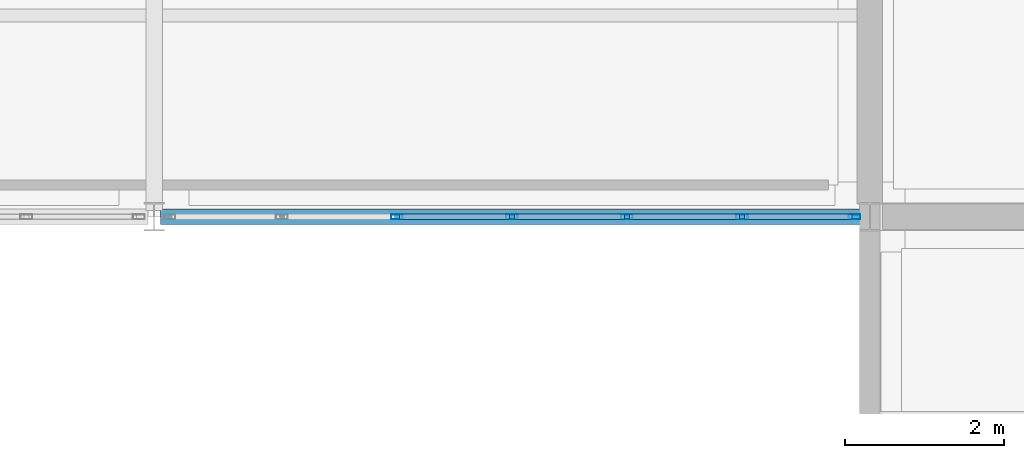
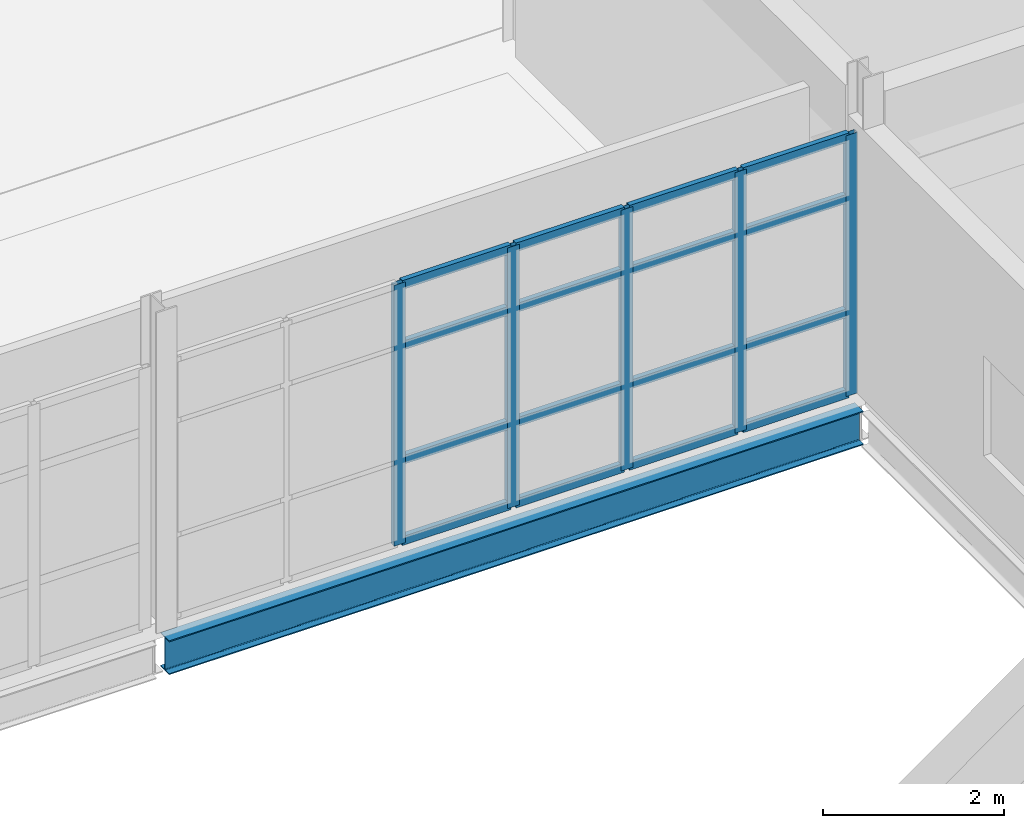
# One storey, part 36 of 174: 21 members, 1 beam, 1 element without a shape of its own.
"""IFC4 building model written with IfcOpenShell, lengths in metres."""

import ifcopenshell
import ifcopenshell.guid

model = None  # the IFC model being written
_history = None  # IfcOwnerHistory: only IFC2X3 demands one
_inside = {}  # id of a spatial element -> (the spatial element, [elements in it])
_under = {}  # id of a project, library or spatial element -> (it, [spatial elements below it])
_declared = {}  # id of a project -> (the project, [libraries it declares])
_typed = {}  # id of a type object -> (the type object, [elements of that type])
_made_of = {}  # id of a material, layer set ... -> (it, [elements and type objects made of it])


def new_model(schema):
    """Start an empty IFC model of exactly this schema.

    Asked for "IFC4X3", IfcOpenShell would pick the latest addendum, in which some entities
    have other attributes; the version numbers below select the first issue.
    IFC2X3 requires an IfcOwnerHistory on every rooted entity: one is made here for all.
    """
    global model, _history
    if schema == "IFC4X3":
        model = ifcopenshell.file(schema_version=(4, 3, 0, 0))
    else:
        model = ifcopenshell.file(schema=schema)
    _inside.clear()
    _under.clear()
    _declared.clear()
    _typed.clear()
    _made_of.clear()
    _history = None
    if model.schema == "IFC2X3":
        org = make("IfcOrganization", Name="unknown")
        user = make(
            "IfcPersonAndOrganization",
            ThePerson=make("IfcPerson", FamilyName="unknown"),
            TheOrganization=org,
        )
        app = make(
            "IfcApplication",
            ApplicationDeveloper=org,
            Version="unknown",
            ApplicationFullName="unknown",
            ApplicationIdentifier="unknown",
        )
        _history = make(
            "IfcOwnerHistory",
            OwningUser=user,
            OwningApplication=app,
            ChangeAction="ADDED",
            CreationDate=0,
        )
    return model


def make(cls, **values):
    """One entity of the class cls with the attributes given. An attribute that is None is left unset."""
    return model.create_entity(
        cls, **{name: value for name, value in values.items() if value is not None}
    )


def rooted(cls, **values):
    """An entity with a GlobalId (a new one), such as an element, a storey or a relation."""
    return make(cls, GlobalId=ifcopenshell.guid.new(), OwnerHistory=_history, **values)


def si_unit(unit_type, name, prefix=None):
    """IfcSIUnit, for example si_unit("LENGTHUNIT", "METRE", prefix="MILLI")."""
    return make("IfcSIUnit", UnitType=unit_type, Prefix=prefix, Name=name)


def assignment(units):
    """IfcUnitAssignment: the units of a project."""
    return None if units is None else make("IfcUnitAssignment", Units=units)


def point(xyz):
    """IfcCartesianPoint."""
    return None if xyz is None else make("IfcCartesianPoint", Coordinates=xyz)


def direction(xyz):
    """IfcDirection."""
    return None if xyz is None else make("IfcDirection", DirectionRatios=xyz)


def frame(location, z_axis=None, x_axis=None):
    """IfcAxis2Placement3D, a coordinate frame: its origin and axes. An axis left out is left unset."""
    return make(
        "IfcAxis2Placement3D",
        Location=point(location),
        Axis=direction(z_axis),
        RefDirection=direction(x_axis),
    )


def frame_2d(location, x_axis=None):
    """IfcAxis2Placement2D, a coordinate frame in the plane: its origin and x axis."""
    return make(
        "IfcAxis2Placement2D", Location=point(location), RefDirection=direction(x_axis)
    )


def origin():
    """The frame at (0, 0, 0) with its axes left unset."""
    return frame((0.0, 0.0, 0.0))


def origin_2d():
    """The frame at (0, 0) in the plane with its x axis left unset."""
    return frame_2d((0.0, 0.0))


def place(relative_to, where):
    """IfcLocalPlacement: puts the frame where relative to a parent placement (None: the world)."""
    return make(
        "IfcLocalPlacement", PlacementRelTo=relative_to, RelativePlacement=where
    )


def context(
    kind, dimensions, precision=None, world=None, true_north=None, identifier=None
):
    """IfcGeometricRepresentationContext, for example the 3D "Model" context."""
    return make(
        "IfcGeometricRepresentationContext",
        ContextIdentifier=identifier,
        ContextType=kind,
        CoordinateSpaceDimension=dimensions,
        Precision=precision,
        WorldCoordinateSystem=world,
        TrueNorth=true_north,
    )


def subcontext(parent, identifier, kind, view, scale=None):
    """IfcGeometricRepresentationSubContext, for example "Body" below "Model"."""
    return make(
        "IfcGeometricRepresentationSubContext",
        ContextIdentifier=identifier,
        ContextType=kind,
        ParentContext=parent,
        TargetScale=scale,
        TargetView=view,
    )


def project(units=None, contexts=None):
    """IfcProject with its units and contexts."""
    return rooted(
        "IfcProject",
        Name="project",
        RepresentationContexts=contexts,
        UnitsInContext=assignment(units),
    )


def spatial(cls, under=None, at=None, **own):
    """A site, building, storey or space (cls), placed at a placement, below another one or the project."""
    s = rooted(cls, ObjectPlacement=at, **own)
    if under is not None:
        _under.setdefault(under.id(), (under, []))[1].append(s)
    return s


def profile(cls, at=None, kind="AREA", **sizes):
    """A parametric profile (cls). Its sizes go by their IFC names, for example OverallWidth=200.0."""
    return make(cls, ProfileType=kind, Position=at, **sizes)


def hollow_rectangle(**sizes):
    """IfcRectangleHollowProfileDef."""
    return profile("IfcRectangleHollowProfileDef", **sizes)


def i_section(**sizes):
    """IfcIShapeProfileDef."""
    return profile("IfcIShapeProfileDef", **sizes)


def extrude(swept, where, along, depth):
    """IfcExtrudedAreaSolid: the profile swept, set in the frame where, extruded along a direction by depth."""
    return make(
        "IfcExtrudedAreaSolid",
        SweptArea=swept,
        Position=where,
        ExtrudedDirection=direction(along),
        Depth=depth,
    )


def shape(context_of_items, identifier, shape_type, items):
    """IfcShapeRepresentation: the items that make up one representation, for example the "Body"."""
    return make(
        "IfcShapeRepresentation",
        ContextOfItems=context_of_items,
        RepresentationIdentifier=identifier,
        RepresentationType=shape_type,
        Items=items,
    )


def material(Name=None, Category=None):
    """IfcMaterial."""
    return make("IfcMaterial", Name=Name, Category=Category)


def material_profile(
    of_material, cross_section, Name=None, Category=None, Priority=None
):
    """IfcMaterialProfile: a cross section and its material."""
    return make(
        "IfcMaterialProfile",
        Name=Name,
        Material=of_material,
        Profile=cross_section,
        Priority=Priority,
        Category=Category,
    )


def profile_set(profiles, Name=None, composite=None):
    """IfcMaterialProfileSet."""
    return make(
        "IfcMaterialProfileSet",
        Name=Name,
        MaterialProfiles=profiles,
        CompositeProfile=composite,
    )


def made_of(thing, what):
    """Note that an element or type object is made of a material, layer set ...; save() writes the relation."""
    if what is not None:
        _made_of.setdefault(what.id(), (what, []))[1].append(thing)
    return thing


def type_object(cls, material=None, **own):
    """A type object (cls), such as IfcWallType, which elements share."""
    return made_of(rooted(cls, **own), material)


def element(
    cls,
    number,
    at=None,
    inside=None,
    cuts=None,
    type_object=None,
    material=None,
    context=None,
    identifier="Body",
    shape_type=None,
    held_by="IfcProductDefinitionShape",
    body=None,
    shapes=None,
    **own,
):
    """One element of the class cls, such as IfcWall. Its Tag is "e" and its number.

    at: its placement. inside: the storey or other place that contains it. cuts: it is an
    opening in that element (IfcRelVoidsElement). A single representation is given by context,
    identifier, shape_type and body (its items); several are given by shapes. held_by: the class
    of the entity that holds the representations. save() writes the other relations.
    """
    e = rooted(cls, Tag="e%d" % number, ObjectPlacement=at, **own)
    if body is not None:
        shapes = [shape(context, identifier, shape_type, body)]
    if shapes is not None:
        e.Representation = make(held_by, Representations=shapes)
    if inside is not None:
        _inside.setdefault(inside.id(), (inside, []))[1].append(e)
    if cuts is not None:
        rooted(
            "IfcRelVoidsElement", RelatingBuildingElement=cuts, RelatedOpeningElement=e
        )
    if type_object is not None:
        _typed.setdefault(type_object.id(), (type_object, []))[1].append(e)
    return made_of(e, material)


def aggregate(whole, parts):
    """IfcRelAggregates: a whole, such as a stair, and the parts it consists of."""
    return rooted("IfcRelAggregates", RelatingObject=whole, RelatedObjects=parts)


def save(model, path):
    """Write the relations noted so far, then the file.

    IfcRelAggregates (storeys below a building ...), IfcRelContainedInSpatialStructure (elements
    in a storey), IfcRelDefinesByType, IfcRelAssociatesMaterial and IfcRelDeclares: one each for
    every whole, place, type object, material and project.
    """
    for whole, parts in _under.values():
        aggregate(whole, parts)
    for where, things in _inside.values():
        rooted(
            "IfcRelContainedInSpatialStructure",
            RelatedElements=things,
            RelatingStructure=where,
        )
    for kind, things in _typed.values():
        rooted("IfcRelDefinesByType", RelatedObjects=things, RelatingType=kind)
    for what, things in _made_of.values():
        rooted("IfcRelAssociatesMaterial", RelatedObjects=things, RelatingMaterial=what)
    for by, libraries in _declared.values():
        rooted("IfcRelDeclares", RelatingContext=by, RelatedDefinitions=libraries)
    model.write(path)


model = new_model("IFC4")

# Units and contexts
model_context = context("Model", 3, precision=1e-05, world=origin(), true_north=direction((0.0, 1.0)))
body_context = subcontext(model_context, "Body", "Model", "MODEL_VIEW")
ifc_project = project(units=[si_unit("LENGTHUNIT", "METRE"), si_unit("AREAUNIT", "SQUARE_METRE"), si_unit("VOLUMEUNIT", "CUBIC_METRE"), si_unit("PLANEANGLEUNIT", "RADIAN"), si_unit("MASSUNIT", "GRAM", prefix="KILO")], contexts=[model_context])

# Site, building, storey
site_placement = place(None, origin())
site = spatial("IfcSite", under=ifc_project, at=site_placement, CompositionType="ELEMENT")
building_placement = place(site_placement, origin())
building = spatial("IfcBuilding", under=site, at=building_placement, Name="Caisbarro Railhouse Central Library", CompositionType="ELEMENT")
storey_placement = place(building_placement, frame((0.0, 0.0, 5.0400390625)))
storey = spatial("IfcBuildingStorey", under=building, at=storey_placement, Name="L01", CompositionType="ELEMENT", Elevation=5.0400390625)

# Beam
ifc_material_1 = material(Name="Steel ASTM A572 Grade 50", Category="steel")
ifc_material_profile_1 = material_profile(ifc_material_1, i_section(OverallWidth=0.18994140625, OverallDepth=0.45703125, WebThickness=0.009033203125, FlangeThickness=0.014404296875, FilletRadius=0.01806640625, at=origin_2d()), Name="W460X74.0")
ifc_profile_set_1 = profile_set([ifc_material_profile_1], Name="Steel ASTM A572 Grade 50")
beam_type = type_object("IfcBeamType", Name="BM-SP01", PredefinedType="SPANDREL", material=ifc_profile_set_1)
beam_placement = place(storey_placement, frame((45.080078125, 30.39990234375, -0.448486328125), z_axis=(1.0, 0.0, 0.0), x_axis=(0.0, 1.0, 0.0)))
element("IfcBeam", 1, at=beam_placement, inside=storey, type_object=beam_type, Name="SP01 beam L01 #795", PredefinedType="SPANDREL", context=body_context, shape_type="SweptSolid", body=[
    extrude(i_section(OverallWidth=0.18994140625, OverallDepth=0.45703125, WebThickness=0.009033203125, FlangeThickness=0.014404296875, FilletRadius=0.01806640625, at=origin_2d()), origin(), (0.0, 0.0, 1.0), 8.83984375),
])

# Curtain wall, members
ifc_material_2 = material(Name="Anodised architectural aluminium", Category="aluminium")
curtain_wall_type = type_object("IfcCurtainWallType", Name="CW-CW02", PredefinedType="NOTDEFINED", material=ifc_material_2)
curtain_wall_placement = place(storey_placement, origin())
curtain_wall = element("IfcCurtainWall", 2, at=curtain_wall_placement, inside=storey, type_object=curtain_wall_type, Name="CW02 curtain wall L01 #37", PredefinedType="NOTDEFINED")
ifc_material_profile_2 = material_profile(ifc_material_2, hollow_rectangle(XDim=0.06494140625, YDim=0.14990234375, WallThickness=0.00390625, at=origin_2d()), Name="ALU-MUL-65X150")
ifc_profile_set_2 = profile_set([ifc_material_profile_2], Name="Anodised architectural aluminium")
member_type_1 = type_object("IfcMemberType", Name="CWM-M02", PredefinedType="MULLION", material=ifc_profile_set_2)
member_1_placement = place(storey_placement, frame((48.05322265625, 30.39990234375, 0.0), z_axis=(0.0, 0.0, 1.0), x_axis=(0.0, 1.0, 0.0)))
member_1 = element("IfcMember", 3, at=member_1_placement, type_object=member_type_1, Name="CW02 mullion 3", PredefinedType="MULLION", context=body_context, shape_type="SweptSolid", body=[
    extrude(hollow_rectangle(XDim=0.06494140625, YDim=0.14990234375, WallThickness=0.00390625, at=origin_2d()), origin(), (0.0, 0.0, 1.0), 3.510009765625),
])
member_2_placement = place(storey_placement, frame((49.5, 30.39990234375, 0.0), z_axis=(0.0, 0.0, 1.0), x_axis=(0.0, 1.0, 0.0)))
member_2 = element("IfcMember", 4, at=member_2_placement, type_object=member_type_1, Name="CW02 mullion 4", PredefinedType="MULLION", context=body_context, shape_type="SweptSolid", body=[
    extrude(hollow_rectangle(XDim=0.06494140625, YDim=0.14990234375, WallThickness=0.00390625, at=origin_2d()), origin(), (0.0, 0.0, 1.0), 3.510009765625),
])
member_3_placement = place(storey_placement, frame((50.94677734375, 30.39990234375, 0.0), z_axis=(0.0, 0.0, 1.0), x_axis=(0.0, 1.0, 0.0)))
member_3 = element("IfcMember", 5, at=member_3_placement, type_object=member_type_1, Name="CW02 mullion 5", PredefinedType="MULLION", context=body_context, shape_type="SweptSolid", body=[
    extrude(hollow_rectangle(XDim=0.06494140625, YDim=0.14990234375, WallThickness=0.00390625, at=origin_2d()), origin(), (0.0, 0.0, 1.0), 3.510009765625),
])
member_4_placement = place(storey_placement, frame((52.393310546875, 30.39990234375, 0.0), z_axis=(0.0, 0.0, 1.0), x_axis=(0.0, 1.0, 0.0)))
member_4 = element("IfcMember", 6, at=member_4_placement, type_object=member_type_1, Name="CW02 mullion 6", PredefinedType="MULLION", context=body_context, shape_type="SweptSolid", body=[
    extrude(hollow_rectangle(XDim=0.06494140625, YDim=0.14990234375, WallThickness=0.00390625, at=origin_2d()), origin(), (0.0, 0.0, 1.0), 3.510009765625),
])
member_5_placement = place(storey_placement, frame((53.8076171875, 30.39990234375, 0.0), z_axis=(0.0, 0.0, 1.0), x_axis=(0.0, 1.0, 0.0)))
member_5 = element("IfcMember", 7, at=member_5_placement, type_object=member_type_1, Name="CW02 mullion 7", PredefinedType="MULLION", context=body_context, shape_type="SweptSolid", body=[
    extrude(hollow_rectangle(XDim=0.06494140625, YDim=0.14990234375, WallThickness=0.00390625, at=origin_2d()), origin(), (0.0, 0.0, 1.0), 3.510009765625),
])
ifc_material_profile_3 = material_profile(ifc_material_2, hollow_rectangle(XDim=0.06494140625, YDim=0.1201171875, WallThickness=0.00341796875, at=origin_2d()), Name="ALU-TRN-65X120")
ifc_profile_set_3 = profile_set([ifc_material_profile_3], Name="Anodised architectural aluminium")
member_type_2 = type_object("IfcMemberType", Name="CWT-T02", PredefinedType="USERDEFINED", material=ifc_profile_set_3)
member_6_placement = place(storey_placement, frame((48.0859375, 30.39990234375, 0.032470703125), z_axis=(1.0, 0.0, 0.0), x_axis=(0.0, 1.0, 0.0)))
member_6 = element("IfcMember", 8, at=member_6_placement, type_object=member_type_2, Name="CW02 transom 3.1", ObjectType="TRANSOM", PredefinedType="USERDEFINED", context=body_context, shape_type="SweptSolid", body=[
    extrude(hollow_rectangle(XDim=0.06494140625, YDim=0.1201171875, WallThickness=0.00341796875, at=origin_2d()), origin(), (0.0, 0.0, 1.0), 1.381591796875),
])
member_7_placement = place(storey_placement, frame((48.0859375, 30.39990234375, 1.119873046875), z_axis=(1.0, 0.0, 0.0), x_axis=(0.0, 1.0, 0.0)))
member_7 = element("IfcMember", 9, at=member_7_placement, type_object=member_type_2, Name="CW02 transom 3.2", ObjectType="TRANSOM", PredefinedType="USERDEFINED", context=body_context, shape_type="SweptSolid", body=[
    extrude(hollow_rectangle(XDim=0.06494140625, YDim=0.1201171875, WallThickness=0.00341796875, at=origin_2d()), origin(), (0.0, 0.0, 1.0), 1.381591796875),
])
member_8_placement = place(storey_placement, frame((48.0859375, 30.39990234375, 2.659912109375), z_axis=(1.0, 0.0, 0.0), x_axis=(0.0, 1.0, 0.0)))
member_8 = element("IfcMember", 10, at=member_8_placement, type_object=member_type_2, Name="CW02 transom 3.3", ObjectType="TRANSOM", PredefinedType="USERDEFINED", context=body_context, shape_type="SweptSolid", body=[
    extrude(hollow_rectangle(XDim=0.06494140625, YDim=0.1201171875, WallThickness=0.00341796875, at=origin_2d()), origin(), (0.0, 0.0, 1.0), 1.381591796875),
])
member_9_placement = place(storey_placement, frame((48.0859375, 30.39990234375, 3.4775390625), z_axis=(1.0, 0.0, 0.0), x_axis=(0.0, 1.0, 0.0)))
member_9 = element("IfcMember", 11, at=member_9_placement, type_object=member_type_2, Name="CW02 transom 3.4", ObjectType="TRANSOM", PredefinedType="USERDEFINED", context=body_context, shape_type="SweptSolid", body=[
    extrude(hollow_rectangle(XDim=0.06494140625, YDim=0.1201171875, WallThickness=0.00341796875, at=origin_2d()), origin(), (0.0, 0.0, 1.0), 1.381591796875),
])
member_10_placement = place(storey_placement, frame((49.532470703125, 30.39990234375, 0.032470703125), z_axis=(1.0, 0.0, 0.0), x_axis=(0.0, 1.0, 0.0)))
member_10 = element("IfcMember", 12, at=member_10_placement, type_object=member_type_2, Name="CW02 transom 4.1", ObjectType="TRANSOM", PredefinedType="USERDEFINED", context=body_context, shape_type="SweptSolid", body=[
    extrude(hollow_rectangle(XDim=0.06494140625, YDim=0.1201171875, WallThickness=0.00341796875, at=origin_2d()), origin(), (0.0, 0.0, 1.0), 1.381591796875),
])
member_11_placement = place(storey_placement, frame((49.532470703125, 30.39990234375, 1.119873046875), z_axis=(1.0, 0.0, 0.0), x_axis=(0.0, 1.0, 0.0)))
member_11 = element("IfcMember", 13, at=member_11_placement, type_object=member_type_2, Name="CW02 transom 4.2", ObjectType="TRANSOM", PredefinedType="USERDEFINED", context=body_context, shape_type="SweptSolid", body=[
    extrude(hollow_rectangle(XDim=0.06494140625, YDim=0.1201171875, WallThickness=0.00341796875, at=origin_2d()), origin(), (0.0, 0.0, 1.0), 1.381591796875),
])
member_12_placement = place(storey_placement, frame((49.532470703125, 30.39990234375, 2.659912109375), z_axis=(1.0, 0.0, 0.0), x_axis=(0.0, 1.0, 0.0)))
member_12 = element("IfcMember", 14, at=member_12_placement, type_object=member_type_2, Name="CW02 transom 4.3", ObjectType="TRANSOM", PredefinedType="USERDEFINED", context=body_context, shape_type="SweptSolid", body=[
    extrude(hollow_rectangle(XDim=0.06494140625, YDim=0.1201171875, WallThickness=0.00341796875, at=origin_2d()), origin(), (0.0, 0.0, 1.0), 1.381591796875),
])
member_13_placement = place(storey_placement, frame((49.532470703125, 30.39990234375, 3.4775390625), z_axis=(1.0, 0.0, 0.0), x_axis=(0.0, 1.0, 0.0)))
member_13 = element("IfcMember", 15, at=member_13_placement, type_object=member_type_2, Name="CW02 transom 4.4", ObjectType="TRANSOM", PredefinedType="USERDEFINED", context=body_context, shape_type="SweptSolid", body=[
    extrude(hollow_rectangle(XDim=0.06494140625, YDim=0.1201171875, WallThickness=0.00341796875, at=origin_2d()), origin(), (0.0, 0.0, 1.0), 1.381591796875),
])
member_14_placement = place(storey_placement, frame((50.979248046875, 30.39990234375, 0.032470703125), z_axis=(1.0, 0.0, 0.0), x_axis=(0.0, 1.0, 0.0)))
member_14 = element("IfcMember", 16, at=member_14_placement, type_object=member_type_2, Name="CW02 transom 5.1", ObjectType="TRANSOM", PredefinedType="USERDEFINED", context=body_context, shape_type="SweptSolid", body=[
    extrude(hollow_rectangle(XDim=0.06494140625, YDim=0.1201171875, WallThickness=0.00341796875, at=origin_2d()), origin(), (0.0, 0.0, 1.0), 1.381591796875),
])
member_15_placement = place(storey_placement, frame((50.979248046875, 30.39990234375, 1.119873046875), z_axis=(1.0, 0.0, 0.0), x_axis=(0.0, 1.0, 0.0)))
member_15 = element("IfcMember", 17, at=member_15_placement, type_object=member_type_2, Name="CW02 transom 5.2", ObjectType="TRANSOM", PredefinedType="USERDEFINED", context=body_context, shape_type="SweptSolid", body=[
    extrude(hollow_rectangle(XDim=0.06494140625, YDim=0.1201171875, WallThickness=0.00341796875, at=origin_2d()), origin(), (0.0, 0.0, 1.0), 1.381591796875),
])
member_16_placement = place(storey_placement, frame((50.979248046875, 30.39990234375, 2.659912109375), z_axis=(1.0, 0.0, 0.0), x_axis=(0.0, 1.0, 0.0)))
member_16 = element("IfcMember", 18, at=member_16_placement, type_object=member_type_2, Name="CW02 transom 5.3", ObjectType="TRANSOM", PredefinedType="USERDEFINED", context=body_context, shape_type="SweptSolid", body=[
    extrude(hollow_rectangle(XDim=0.06494140625, YDim=0.1201171875, WallThickness=0.00341796875, at=origin_2d()), origin(), (0.0, 0.0, 1.0), 1.381591796875),
])
member_17_placement = place(storey_placement, frame((50.979248046875, 30.39990234375, 3.4775390625), z_axis=(1.0, 0.0, 0.0), x_axis=(0.0, 1.0, 0.0)))
member_17 = element("IfcMember", 19, at=member_17_placement, type_object=member_type_2, Name="CW02 transom 5.4", ObjectType="TRANSOM", PredefinedType="USERDEFINED", context=body_context, shape_type="SweptSolid", body=[
    extrude(hollow_rectangle(XDim=0.06494140625, YDim=0.1201171875, WallThickness=0.00341796875, at=origin_2d()), origin(), (0.0, 0.0, 1.0), 1.381591796875),
])
member_18_placement = place(storey_placement, frame((52.42578125, 30.39990234375, 0.032470703125), z_axis=(1.0, 0.0, 0.0), x_axis=(0.0, 1.0, 0.0)))
member_18 = element("IfcMember", 20, at=member_18_placement, type_object=member_type_2, Name="CW02 transom 6.1", ObjectType="TRANSOM", PredefinedType="USERDEFINED", context=body_context, shape_type="SweptSolid", body=[
    extrude(hollow_rectangle(XDim=0.06494140625, YDim=0.1201171875, WallThickness=0.00341796875, at=origin_2d()), origin(), (0.0, 0.0, 1.0), 1.34912109375),
])
member_19_placement = place(storey_placement, frame((52.42578125, 30.39990234375, 1.119873046875), z_axis=(1.0, 0.0, 0.0), x_axis=(0.0, 1.0, 0.0)))
member_19 = element("IfcMember", 21, at=member_19_placement, type_object=member_type_2, Name="CW02 transom 6.2", ObjectType="TRANSOM", PredefinedType="USERDEFINED", context=body_context, shape_type="SweptSolid", body=[
    extrude(hollow_rectangle(XDim=0.06494140625, YDim=0.1201171875, WallThickness=0.00341796875, at=origin_2d()), origin(), (0.0, 0.0, 1.0), 1.34912109375),
])
member_20_placement = place(storey_placement, frame((52.42578125, 30.39990234375, 2.659912109375), z_axis=(1.0, 0.0, 0.0), x_axis=(0.0, 1.0, 0.0)))
member_20 = element("IfcMember", 22, at=member_20_placement, type_object=member_type_2, Name="CW02 transom 6.3", ObjectType="TRANSOM", PredefinedType="USERDEFINED", context=body_context, shape_type="SweptSolid", body=[
    extrude(hollow_rectangle(XDim=0.06494140625, YDim=0.1201171875, WallThickness=0.00341796875, at=origin_2d()), origin(), (0.0, 0.0, 1.0), 1.34912109375),
])
member_21_placement = place(storey_placement, frame((52.42578125, 30.39990234375, 3.4775390625), z_axis=(1.0, 0.0, 0.0), x_axis=(0.0, 1.0, 0.0)))
member_21 = element("IfcMember", 23, at=member_21_placement, type_object=member_type_2, Name="CW02 transom 6.4", ObjectType="TRANSOM", PredefinedType="USERDEFINED", context=body_context, shape_type="SweptSolid", body=[
    extrude(hollow_rectangle(XDim=0.06494140625, YDim=0.1201171875, WallThickness=0.00341796875, at=origin_2d()), origin(), (0.0, 0.0, 1.0), 1.34912109375),
])
aggregate(curtain_wall, [member_1, member_2, member_3, member_4, member_5, member_6, member_7, member_8, member_9, member_10, member_11, member_12, member_13, member_14, member_15, member_16, member_17, member_18, member_19, member_20, member_21])

save(model, "model.ifc")
